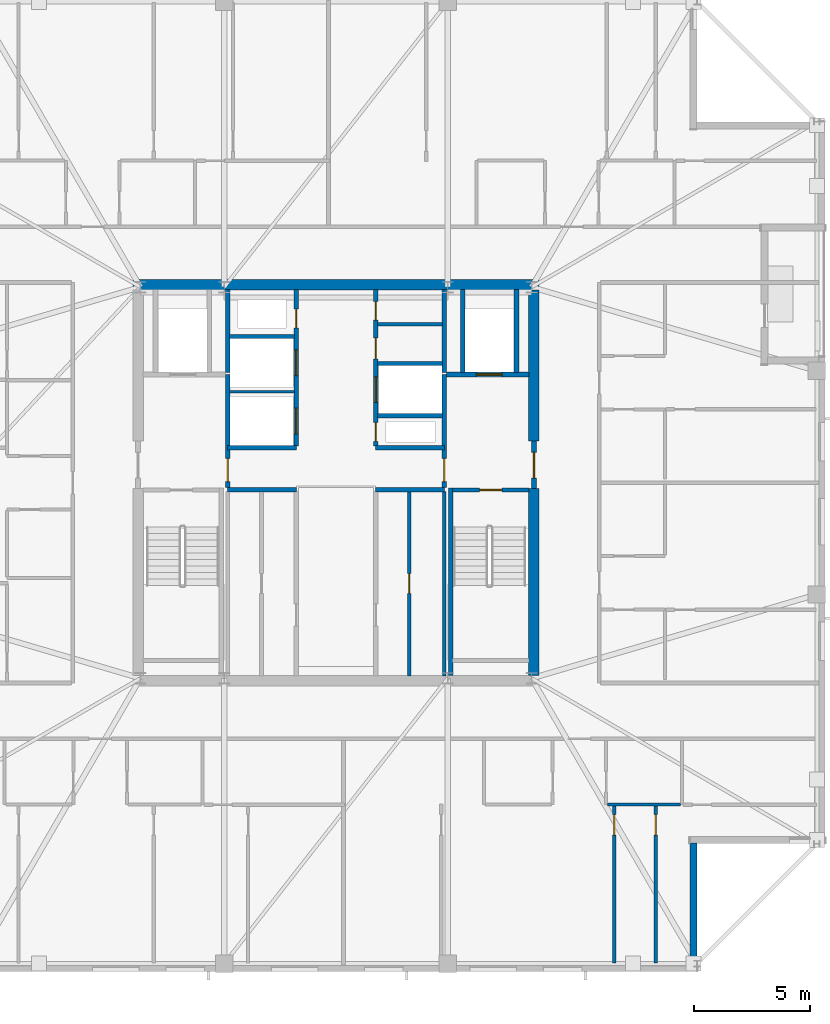
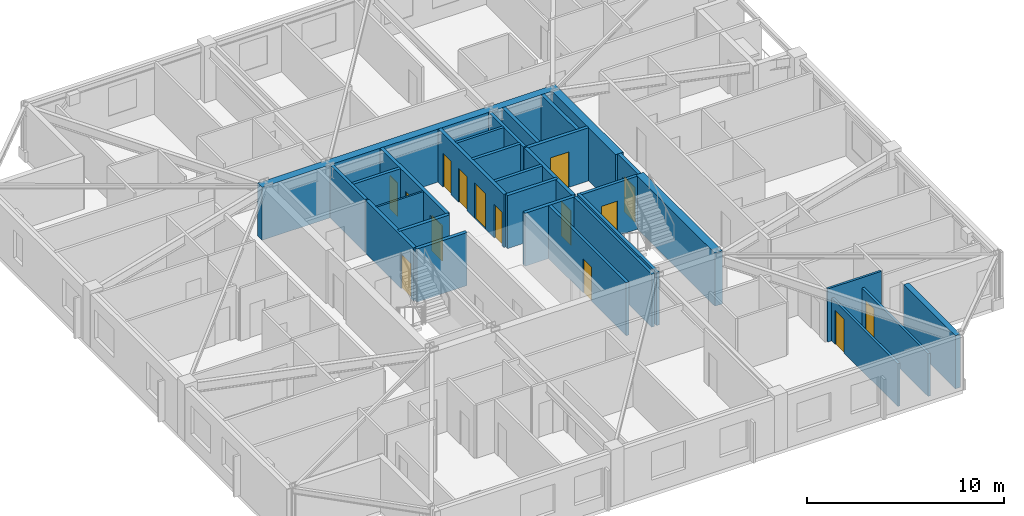
# One storey, part 9 of 16: 30 walls, 15 doors, 15 openings.
"""IFC4 building model written with IfcOpenShell, lengths in metres."""

from ifc_helpers import new_model, si_unit, direction, frame, frame_2d, origin, place, context, subcontext, project, spatial, rectangle, extrude, material, layer, layer_set, type_object, element, fill, save


model = new_model("IFC4")

# Units and contexts
model_context = context("Model", 3, precision=1e-05, world=origin(), true_north=direction((0.0, 1.0)))
body_context = subcontext(model_context, "Body", "Model", "MODEL_VIEW")
ifc_project = project(units=[si_unit("LENGTHUNIT", "METRE"), si_unit("AREAUNIT", "SQUARE_METRE"), si_unit("VOLUMEUNIT", "CUBIC_METRE"), si_unit("PLANEANGLEUNIT", "RADIAN"), si_unit("MASSUNIT", "GRAM", prefix="KILO")], contexts=[model_context])

# Site, building, storey
site_placement = place(None, origin())
site = spatial("IfcSite", under=ifc_project, at=site_placement, CompositionType="ELEMENT")
building_placement = place(site_placement, origin())
building = spatial("IfcBuilding", under=site, at=building_placement, Name="Cairnveth Concourse Tower", CompositionType="ELEMENT")
storey_placement = place(building_placement, frame((0.0, 0.0, 312.0)))
storey = spatial("IfcBuildingStorey", under=building, at=storey_placement, Name="L86", CompositionType="ELEMENT", Elevation=312.0)

# Wall
ifc_material_1 = material(Name="Gypsum Plasterboard Partition", Category="gypsum")
ifc_layer_1 = layer(ifc_material_1, 0.159912109375)
ifc_layer_set_1 = layer_set([ifc_layer_1], Name="Gypsum Plasterboard Partition")
wall_type_1 = type_object("IfcWallType", Name="ACOUSTIC PARTY WALL 180", PredefinedType="PARTITIONING", material=ifc_layer_set_1)
wall_1_placement = place(storey_placement, frame((56.64990234375, 30.7099609375, 0.0), z_axis=(0.0, 0.0, 1.0), x_axis=(0.0, 1.0, 0.0)))
element("IfcWall", 1, at=wall_1_placement, inside=storey, type_object=wall_type_1, Name="Interior Wall IW-L86-027", PredefinedType="PARTITIONING", context=body_context, shape_type="SweptSolid", body=[
    extrude(rectangle(XDim=7.905029296875, YDim=0.159912109375, at=frame_2d((3.95263671875, 0.0))), origin(), (0.0, 0.0, 1.0), 3.2900390625),
])

# Wall, opening, door
wall_2_placement = place(storey_placement, frame((55.14990234375, 30.7099609375, 0.0), z_axis=(0.0, 0.0, 1.0), x_axis=(0.0, 1.0, 0.0)))
wall_2 = element("IfcWall", 2, at=wall_2_placement, inside=storey, type_object=wall_type_1, Name="Interior Wall IW-L86-028", PredefinedType="PARTITIONING", context=body_context, shape_type="SweptSolid", body=[
    extrude(rectangle(XDim=7.905029296875, YDim=0.159912109375, at=frame_2d((3.95263671875, 0.0))), origin(), (0.0, 0.0, 1.0), 3.2900390625),
])
opening_1_placement = place(wall_2_placement, frame((3.5400390625, 0.0, 0.0)))
opening_1 = element("IfcOpeningElement", 3, at=opening_1_placement, cuts=wall_2, Name="Opening ID19", PredefinedType="OPENING", context=body_context, shape_type="SweptSolid", body=[
    extrude(rectangle(XDim=0.85009765625, YDim=2.1201171875, at=frame_2d((0.425048828125, 1.06005859375))), frame((0.0, 0.08984375, 0.0), z_axis=(0.0, -1.0, 0.0), x_axis=(1.0, 0.0, 0.0)), (0.0, 0.0, 1.0), 0.179931640625),
])
ifc_material_2 = material(Name="Steel Grade 350", Category="steel")
door_type_1 = type_object("IfcDoorType", Name="CORE SERVICE DOOR 850X2100", OperationType="NOTDEFINED", PredefinedType="DOOR", material=ifc_material_2)
door_1_placement = place(opening_1_placement, origin())
door_1 = element("IfcDoor", 4, at=door_1_placement, inside=storey, type_object=door_type_1, Name="Wine Cellar Door L86", OperationType="SINGLE_SWING_RIGHT", OverallHeight=2.1201171875, OverallWidth=0.85009765625, PredefinedType="DOOR", context=body_context, shape_type="SweptSolid", body=[
    extrude(rectangle(XDim=0.85009765625, YDim=2.1201171875, at=frame_2d((0.425048828125, 1.06005859375))), frame((0.0, 0.02490234375, 0.0), z_axis=(0.0, -1.0, 0.0), x_axis=(1.0, 0.0, 0.0)), (0.0, 0.0, 1.0), 0.050048828125),
])
fill(opening_1, door_1)

# Walls
wall_3_placement = place(storey_placement, frame((53.784912109375, 45.800048828125, 0.0), z_axis=(0.0, 0.0, 1.0), x_axis=(1.0, 0.0, 0.0)))
element("IfcWall", 5, at=wall_3_placement, inside=storey, type_object=wall_type_1, Name="Interior Wall IW-L86-035", PredefinedType="PARTITIONING", context=body_context, shape_type="SweptSolid", body=[
    extrude(rectangle(XDim=2.7900390625, YDim=0.159912109375, at=frame_2d((1.39501953125, 0.0))), origin(), (0.0, 0.0, 1.0), 3.2900390625),
])
ifc_material_3 = material(Name="Concrete N65 (65 MPa)", Category="concrete")
ifc_layer_2 = layer(ifc_material_3, 0.449951171875)
ifc_layer_set_2 = layer_set([ifc_layer_2], Name="Concrete N65 (65 MPa)")
wall_type_2 = type_object("IfcWallType", Name="CORE SHEAR WALL 450", PredefinedType="SHEAR", material=ifc_layer_set_2)
wall_4_placement = place(storey_placement, frame((43.27490234375, 47.5, 0.0), z_axis=(0.0, 0.0, 1.0), x_axis=(1.0, 0.0, 0.0)))
element("IfcWall", 6, at=wall_4_placement, inside=storey, type_object=wall_type_2, Name="Core North Shear Wall L86", PredefinedType="SHEAR", context=body_context, shape_type="SweptSolid", body=[
    extrude(rectangle(XDim=17.4501953125, YDim=0.449951171875, at=frame_2d((8.72509765625, 0.0))), origin(), (0.0, 0.0, 1.0), 3.2900390625),
])
wall_5_placement = place(storey_placement, frame((60.5, 30.715087890625, 0.0), z_axis=(0.0, 0.0, 1.0), x_axis=(0.0, 1.0, 0.0)))
element("IfcWall", 7, at=wall_5_placement, inside=storey, type_object=wall_type_2, Name="Core East Shear Wall S L86", PredefinedType="SHEAR", context=body_context, shape_type="SweptSolid", body=[
    extrude(rectangle(XDim=8.034912109375, YDim=0.449951171875, at=frame_2d((4.017578125, 0.0))), origin(), (0.0, 0.0, 1.0), 3.2900390625),
])
wall_6_placement = place(storey_placement, frame((60.5, 40.800048828125, 0.0), z_axis=(0.0, 0.0, 1.0), x_axis=(0.0, 1.0, 0.0)))
element("IfcWall", 8, at=wall_6_placement, inside=storey, type_object=wall_type_2, Name="Core East Shear Wall N L86", PredefinedType="SHEAR", context=body_context, shape_type="SweptSolid", body=[
    extrude(rectangle(XDim=6.48486328125, YDim=0.449951171875, at=frame_2d((3.242431640625, 0.0))), origin(), (0.0, 0.0, 1.0), 3.2900390625),
])
ifc_material_4 = material(Name="Concrete N50 (50 MPa)", Category="concrete")
ifc_layer_3 = layer(ifc_material_4, 0.179931640625)
ifc_layer_set_3 = layer_set([ifc_layer_3], Name="Concrete N50 (50 MPa)")
wall_type_3 = type_object("IfcWallType", Name="FIRE SHAFT WALL 180", PredefinedType="SOLIDWALL", material=ifc_layer_set_3)
wall_7_placement = place(storey_placement, frame((47.35009765625, 43.735107421875, 0.0), z_axis=(0.0, 0.0, 1.0), x_axis=(0.0, 1.0, 0.0)))
element("IfcWall", 9, at=wall_7_placement, inside=storey, type_object=wall_type_3, Name="Interior Wall IW-L86-029", PredefinedType="SOLIDWALL", context=body_context, shape_type="SweptSolid", body=[
    extrude(rectangle(XDim=3.554931640625, YDim=0.179931640625, at=frame_2d((1.77734375, 0.0))), origin(), (0.0, 0.0, 1.0), 3.2900390625),
])
wall_8_placement = place(storey_placement, frame((47.425048828125, 45.280029296875, 0.0), z_axis=(0.0, 0.0, 1.0), x_axis=(1.0, 0.0, 0.0)))
element("IfcWall", 10, at=wall_8_placement, inside=storey, type_object=wall_type_3, Name="Interior Wall IW-L86-031", PredefinedType="SOLIDWALL", context=body_context, shape_type="SweptSolid", body=[
    extrude(rectangle(XDim=2.7900390625, YDim=0.179931640625, at=frame_2d((1.39501953125, 0.0))), origin(), (0.0, 0.0, 1.0), 3.2900390625),
])
wall_9_placement = place(storey_placement, frame((56.64990234375, 43.735107421875, 0.0), z_axis=(0.0, 0.0, 1.0), x_axis=(0.0, 1.0, 0.0)))
element("IfcWall", 11, at=wall_9_placement, inside=storey, type_object=wall_type_3, Name="Interior Wall IW-L86-032", PredefinedType="SOLIDWALL", context=body_context, shape_type="SweptSolid", body=[
    extrude(rectangle(XDim=3.554931640625, YDim=0.179931640625, at=frame_2d((1.77734375, 0.0))), origin(), (0.0, 0.0, 1.0), 3.2900390625),
])
wall_10_placement = place(storey_placement, frame((53.784912109375, 41.8798828125, 0.0), z_axis=(0.0, 0.0, 1.0), x_axis=(1.0, 0.0, 0.0)))
element("IfcWall", 12, at=wall_10_placement, inside=storey, type_object=wall_type_3, Name="Interior Wall IW-L86-033", PredefinedType="SOLIDWALL", context=body_context, shape_type="SweptSolid", body=[
    extrude(rectangle(XDim=2.780029296875, YDim=0.179931640625, at=frame_2d((1.39013671875, 0.0))), origin(), (0.0, 0.0, 1.0), 3.2900390625),
])
wall_11_placement = place(storey_placement, frame((53.784912109375, 44.1201171875, 0.0), z_axis=(0.0, 0.0, 1.0), x_axis=(1.0, 0.0, 0.0)))
element("IfcWall", 13, at=wall_11_placement, inside=storey, type_object=wall_type_3, Name="Interior Wall IW-L86-034", PredefinedType="SOLIDWALL", context=body_context, shape_type="SweptSolid", body=[
    extrude(rectangle(XDim=2.7900390625, YDim=0.179931640625, at=frame_2d((1.39501953125, 0.0))), origin(), (0.0, 0.0, 1.0), 3.2900390625),
])

# Wall, opening, door
wall_12_placement = place(storey_placement, frame((57.0048828125, 38.68994140625, 0.0), z_axis=(0.0, 0.0, 1.0), x_axis=(1.0, 0.0, 0.0)))
wall_12 = element("IfcWall", 14, at=wall_12_placement, inside=storey, type_object=wall_type_3, Name="Stair ST-2 Shaft Wall NEAR L86", PredefinedType="SOLIDWALL", context=body_context, shape_type="SweptSolid", body=[
    extrude(rectangle(XDim=3.280029296875, YDim=0.179931640625, at=frame_2d((1.64013671875, 0.0))), origin(), (0.0, 0.0, 1.0), 3.2900390625),
])
opening_2_placement = place(wall_12_placement, frame((1.1650390625, 0.0, 0.0)))
opening_2 = element("IfcOpeningElement", 15, at=opening_2_placement, cuts=wall_12, Name="Opening ID12", PredefinedType="OPENING", context=body_context, shape_type="SweptSolid", body=[
    extrude(rectangle(XDim=0.949951171875, YDim=2.14990234375, at=frame_2d((0.47509765625, 1.074951171875))), frame((0.0, 0.099853515625, 0.0), z_axis=(0.0, -1.0, 0.0), x_axis=(1.0, 0.0, 0.0)), (0.0, 0.0, 1.0), 0.199951171875),
])
door_type_2 = type_object("IfcDoorType", Name="FIRE STAIR DOOR 950X2150", OperationType="NOTDEFINED", PredefinedType="DOOR", material=ifc_material_2)
door_2_placement = place(opening_2_placement, origin())
door_2 = element("IfcDoor", 16, at=door_2_placement, inside=storey, type_object=door_type_2, Name="Stair ST-2 Fire Door L86", OperationType="SINGLE_SWING_RIGHT", OverallHeight=2.14990234375, OverallWidth=0.949951171875, PredefinedType="DOOR", context=body_context, shape_type="SweptSolid", body=[
    extrude(rectangle(XDim=0.949951171875, YDim=2.14990234375, at=frame_2d((0.47509765625, 1.074951171875))), frame((0.0, 0.02490234375, 0.0), z_axis=(0.0, -1.0, 0.0), x_axis=(1.0, 0.0, 0.0)), (0.0, 0.0, 1.0), 0.050048828125),
])
fill(opening_2, door_2)

# Walls
wall_13_placement = place(storey_placement, frame((56.929931640625, 38.780029296875, 0.0), z_axis=(0.0, 0.0, 1.0), x_axis=(0.0, -1.0, 0.0)))
element("IfcWall", 17, at=wall_13_placement, inside=storey, type_object=wall_type_3, Name="Stair ST-2 Shaft Wall LEFT L86", PredefinedType="SOLIDWALL", context=body_context, shape_type="SweptSolid", body=[
    extrude(rectangle(XDim=8.067138671875, YDim=0.179931640625, at=frame_2d((4.03369140625, 0.0))), origin(), (0.0, 0.0, 1.0), 3.2900390625),
])
ifc_layer_4 = layer(ifc_material_4, 0.199951171875)
ifc_layer_set_4 = layer_set([ifc_layer_4], Name="Concrete N50 (50 MPa)")
wall_type_4 = type_object("IfcWallType", Name="FIRE SHAFT WALL 200", PredefinedType="SOLIDWALL", material=ifc_layer_set_4)
for number, where, z_axis, x_axis, name in (
    (18, (47.35009765625, 38.699951171875, 0.0), (0.0, 0.0, 1.0), (1.0, 0.0, 0.0), "Interior Wall IW-L86-007"),
    (19, (47.35009765625, 40.5, 0.0), (0.0, 0.0, 1.0), (1.0, 0.0, 0.0), "Interior Wall IW-L86-008"),
    (20, (53.699951171875, 38.699951171875, 0.0), (0.0, 0.0, 1.0), (1.0, 0.0, 0.0), "Interior Wall IW-L86-009"),
    (21, (53.699951171875, 40.5, 0.0), (0.0, 0.0, 1.0), (1.0, 0.0, 0.0), "Interior Wall IW-L86-010"),
):
    element("IfcWall", number, at=place(storey_placement, frame(where, z_axis=z_axis, x_axis=x_axis)), inside=storey, type_object=wall_type_4, Name=name, PredefinedType="SOLIDWALL", context=body_context, shape_type="SweptSolid", body=[
        extrude(rectangle(XDim=2.949951171875, YDim=0.199951171875, at=frame_2d((1.47509765625, 0.0))), origin(), (0.0, 0.0, 1.0), 3.2900390625),
    ])

# Wall, openings, doors
wall_14_placement = place(storey_placement, frame((50.300048828125, 40.5849609375, 0.0), z_axis=(0.0, 0.0, 1.0), x_axis=(0.0, 1.0, 0.0)))
wall_14 = element("IfcWall", 22, at=wall_14_placement, inside=storey, type_object=wall_type_4, Name="Interior Wall IW-L86-013", PredefinedType="SOLIDWALL", context=body_context, shape_type="SweptSolid", body=[
    extrude(rectangle(XDim=6.705078125, YDim=0.199951171875, at=frame_2d((3.3525390625, 0.0))), origin(), (0.0, 0.0, 1.0), 3.2900390625),
])
opening_3_placement = place(wall_14_placement, frame((0.514892578125, 0.0, 0.0)))
opening_3 = element("IfcOpeningElement", 23, at=opening_3_placement, cuts=wall_14, Name="Opening LD-1", PredefinedType="OPENING", context=body_context, shape_type="SweptSolid", body=[
    extrude(rectangle(XDim=1.10009765625, YDim=2.199951171875, at=frame_2d((0.550048828125, 1.10009765625))), frame((0.0, 0.10986328125, 0.0), z_axis=(0.0, -1.0, 0.0), x_axis=(1.0, 0.0, 0.0)), (0.0, 0.0, 1.0), 0.219970703125),
])
opening_4_placement = place(wall_14_placement, frame((3.014892578125, 0.0, 0.0)))
opening_4 = element("IfcOpeningElement", 24, at=opening_4_placement, cuts=wall_14, Name="Opening LD-1", PredefinedType="OPENING", context=body_context, shape_type="SweptSolid", body=[
    extrude(rectangle(XDim=1.10009765625, YDim=2.199951171875, at=frame_2d((0.550048828125, 1.10009765625))), frame((0.0, 0.10986328125, 0.0), z_axis=(0.0, -1.0, 0.0), x_axis=(1.0, 0.0, 0.0)), (0.0, 0.0, 1.0), 0.219970703125),
])
opening_5_placement = place(wall_14_placement, frame((5.06494140625, 0.0, 0.0)))
opening_5 = element("IfcOpeningElement", 25, at=opening_5_placement, cuts=wall_14, Name="Opening ID24", PredefinedType="OPENING", context=body_context, shape_type="SweptSolid", body=[
    extrude(rectangle(XDim=0.800048828125, YDim=2.080078125, at=frame_2d((0.39990234375, 1.0400390625))), frame((0.0, 0.10986328125, 0.0), z_axis=(0.0, -1.0, 0.0), x_axis=(1.0, 0.0, 0.0)), (0.0, 0.0, 1.0), 0.219970703125),
])
ifc_material_5 = material(Name="Architectural Bronze Anodised Aluminium 6063-T6", Category="aluminium")
door_type_3 = type_object("IfcDoorType", Name="LIFT LANDING DOOR 1100X2200", OperationType="SLIDING_TO_LEFT", PredefinedType="DOOR", material=ifc_material_5)
door_3_placement = place(opening_3_placement, origin())
door_3 = element("IfcDoor", 26, at=door_3_placement, inside=storey, type_object=door_type_3, Name="Lift PL7 Landing Door L86", OperationType="SLIDING_TO_LEFT", OverallHeight=2.199951171875, OverallWidth=1.10009765625, PredefinedType="DOOR", context=body_context, shape_type="SweptSolid", body=[
    extrude(rectangle(XDim=1.10009765625, YDim=2.199951171875, at=frame_2d((0.550048828125, 1.10009765625))), frame((0.0, 0.02490234375, 0.0), z_axis=(0.0, -1.0, 0.0), x_axis=(1.0, 0.0, 0.0)), (0.0, 0.0, 1.0), 0.050048828125),
])
fill(opening_3, door_3)
door_4_placement = place(opening_4_placement, origin())
door_4 = element("IfcDoor", 27, at=door_4_placement, inside=storey, type_object=door_type_3, Name="Lift PL8 Landing Door L86", OperationType="SLIDING_TO_LEFT", OverallHeight=2.199951171875, OverallWidth=1.10009765625, PredefinedType="DOOR", context=body_context, shape_type="SweptSolid", body=[
    extrude(rectangle(XDim=1.10009765625, YDim=2.199951171875, at=frame_2d((0.550048828125, 1.10009765625))), frame((0.0, 0.02490234375, 0.0), z_axis=(0.0, -1.0, 0.0), x_axis=(1.0, 0.0, 0.0)), (0.0, 0.0, 1.0), 0.050048828125),
])
fill(opening_4, door_4)
door_type_4 = type_object("IfcDoorType", Name="RISER ACCESS DOOR 800X2100", OperationType="NOTDEFINED", PredefinedType="DOOR", material=ifc_material_2)
door_5_placement = place(opening_5_placement, origin())
door_5 = element("IfcDoor", 28, at=door_5_placement, inside=storey, type_object=door_type_4, Name="NW Electrical Riser Access Door L86", OperationType="SINGLE_SWING_LEFT", OverallHeight=2.080078125, OverallWidth=0.800048828125, PredefinedType="DOOR", context=body_context, shape_type="SweptSolid", body=[
    extrude(rectangle(XDim=0.800048828125, YDim=2.080078125, at=frame_2d((0.39990234375, 1.0400390625))), frame((0.0, 0.02490234375, 0.0), z_axis=(0.0, -1.0, 0.0), x_axis=(1.0, 0.0, 0.0)), (0.0, 0.0, 1.0), 0.050048828125),
])
fill(opening_5, door_5)

wall_15_placement = place(storey_placement, frame((53.699951171875, 40.5849609375, 0.0), z_axis=(0.0, 0.0, 1.0), x_axis=(0.0, 1.0, 0.0)))
wall_15 = element("IfcWall", 29, at=wall_15_placement, inside=storey, type_object=wall_type_4, Name="Interior Wall IW-L86-014", PredefinedType="SOLIDWALL", context=body_context, shape_type="SweptSolid", body=[
    extrude(rectangle(XDim=6.705078125, YDim=0.199951171875, at=frame_2d((3.3525390625, 0.0))), origin(), (0.0, 0.0, 1.0), 3.2900390625),
])
opening_6_placement = place(wall_15_placement, frame((0.195068359375, 0.0, 0.0)))
opening_6 = element("IfcOpeningElement", 30, at=opening_6_placement, cuts=wall_15, Name="Opening ID24", PredefinedType="OPENING", context=body_context, shape_type="SweptSolid", body=[
    extrude(rectangle(XDim=0.800048828125, YDim=2.080078125, at=frame_2d((0.39990234375, 1.0400390625))), frame((0.0, 0.10986328125, 0.0), z_axis=(0.0, -1.0, 0.0), x_axis=(1.0, 0.0, 0.0)), (0.0, 0.0, 1.0), 0.219970703125),
])
opening_7_placement = place(wall_15_placement, frame((1.864990234375, 0.0, 0.0)))
opening_7 = element("IfcOpeningElement", 31, at=opening_7_placement, cuts=wall_15, Name="Opening LD-1", PredefinedType="OPENING", context=body_context, shape_type="SweptSolid", body=[
    extrude(rectangle(XDim=1.10009765625, YDim=2.199951171875, at=frame_2d((0.550048828125, 1.10009765625))), frame((0.0, 0.10986328125, 0.0), z_axis=(0.0, -1.0, 0.0), x_axis=(1.0, 0.0, 0.0)), (0.0, 0.0, 1.0), 0.219970703125),
])
opening_8_placement = place(wall_15_placement, frame((3.735107421875, 0.0, 0.0)))
opening_8 = element("IfcOpeningElement", 32, at=opening_8_placement, cuts=wall_15, Name="Opening ID26", PredefinedType="OPENING", context=body_context, shape_type="SweptSolid", body=[
    extrude(rectangle(XDim=0.89990234375, YDim=2.1201171875, at=frame_2d((0.449951171875, 1.06005859375))), frame((0.0, 0.10986328125, 0.0), z_axis=(0.0, -1.0, 0.0), x_axis=(1.0, 0.0, 0.0)), (0.0, 0.0, 1.0), 0.219970703125),
])
opening_9_placement = place(wall_15_placement, frame((5.39501953125, 0.0, 0.0)))
opening_9 = element("IfcOpeningElement", 33, at=opening_9_placement, cuts=wall_15, Name="Opening ID23", PredefinedType="OPENING", context=body_context, shape_type="SweptSolid", body=[
    extrude(rectangle(XDim=0.800048828125, YDim=2.10009765625, at=frame_2d((0.39990234375, 1.050048828125))), frame((0.0, 0.10986328125, 0.0), z_axis=(0.0, -1.0, 0.0), x_axis=(1.0, 0.0, 0.0)), (0.0, 0.0, 1.0), 0.219970703125),
])
door_type_5 = type_object("IfcDoorType", Name="CORE SERVICE DOOR 800X2100", OperationType="NOTDEFINED", PredefinedType="DOOR", material=ifc_material_2)
door_6_placement = place(opening_9_placement, origin())
door_6 = element("IfcDoor", 34, at=door_6_placement, inside=storey, type_object=door_type_5, Name="Core NE Cleaners Door L86", OperationType="SINGLE_SWING_LEFT", OverallHeight=2.10009765625, OverallWidth=0.800048828125, PredefinedType="DOOR", context=body_context, shape_type="SweptSolid", body=[
    extrude(rectangle(XDim=0.800048828125, YDim=2.10009765625, at=frame_2d((0.39990234375, 1.050048828125))), frame((0.0, 0.02490234375, 0.0), z_axis=(0.0, -1.0, 0.0), x_axis=(1.0, 0.0, 0.0)), (0.0, 0.0, 1.0), 0.050048828125),
])
fill(opening_9, door_6)
door_type_6 = type_object("IfcDoorType", Name="CORE TOILET FIRE DOOR 900X2120", OperationType="NOTDEFINED", PredefinedType="DOOR", material=ifc_material_2)
door_7_placement = place(opening_8_placement, origin())
door_7 = element("IfcDoor", 35, at=door_7_placement, inside=storey, type_object=door_type_6, Name="Core NE Unisex WC Door L86", OperationType="SINGLE_SWING_RIGHT", OverallHeight=2.1201171875, OverallWidth=0.89990234375, PredefinedType="DOOR", context=body_context, shape_type="SweptSolid", body=[
    extrude(rectangle(XDim=0.89990234375, YDim=2.1201171875, at=frame_2d((0.449951171875, 1.06005859375))), frame((0.0, 0.02490234375, 0.0), z_axis=(0.0, -1.0, 0.0), x_axis=(1.0, 0.0, 0.0)), (0.0, 0.0, 1.0), 0.050048828125),
])
fill(opening_8, door_7)
door_8_placement = place(opening_7_placement, origin())
door_8 = element("IfcDoor", 36, at=door_8_placement, inside=storey, type_object=door_type_3, Name="Lift PL9 Landing Door L86", OperationType="SLIDING_TO_LEFT", OverallHeight=2.199951171875, OverallWidth=1.10009765625, PredefinedType="DOOR", context=body_context, shape_type="SweptSolid", body=[
    extrude(rectangle(XDim=1.10009765625, YDim=2.199951171875, at=frame_2d((0.550048828125, 1.10009765625))), frame((0.0, 0.02490234375, 0.0), z_axis=(0.0, -1.0, 0.0), x_axis=(1.0, 0.0, 0.0)), (0.0, 0.0, 1.0), 0.050048828125),
])
fill(opening_7, door_8)
door_9_placement = place(opening_6_placement, origin())
door_9 = element("IfcDoor", 37, at=door_9_placement, inside=storey, type_object=door_type_4, Name="Hydraulic Riser Door L86", OperationType="SINGLE_SWING_RIGHT", OverallHeight=2.080078125, OverallWidth=0.800048828125, PredefinedType="DOOR", context=body_context, shape_type="SweptSolid", body=[
    extrude(rectangle(XDim=0.800048828125, YDim=2.080078125, at=frame_2d((0.39990234375, 1.0400390625))), frame((0.0, 0.02490234375, 0.0), z_axis=(0.0, -1.0, 0.0), x_axis=(1.0, 0.0, 0.0)), (0.0, 0.0, 1.0), 0.050048828125),
])
fill(opening_6, door_9)

# Wall, opening, door
wall_16_placement = place(storey_placement, frame((47.35009765625, 38.784912109375, 0.0), z_axis=(0.0, 0.0, 1.0), x_axis=(0.0, 1.0, 0.0)))
wall_16 = element("IfcWall", 38, at=wall_16_placement, inside=storey, type_object=wall_type_4, Name="Interior Wall IW-L86-016", PredefinedType="SOLIDWALL", context=body_context, shape_type="SweptSolid", body=[
    extrude(rectangle(XDim=4.864990234375, YDim=0.199951171875, at=frame_2d((2.4326171875, 0.0))), origin(), (0.0, 0.0, 1.0), 3.2900390625),
])
opening_10_placement = place(wall_16_placement, frame((0.264892578125, 0.0, 0.0)))
opening_10 = element("IfcOpeningElement", 39, at=opening_10_placement, cuts=wall_16, Name="Opening ID07", PredefinedType="OPENING", context=body_context, shape_type="SweptSolid", body=[
    extrude(rectangle(XDim=1.0, YDim=2.14990234375, at=frame_2d((0.5, 1.074951171875))), frame((0.0, 0.10986328125, 0.0), z_axis=(0.0, -1.0, 0.0), x_axis=(1.0, 0.0, 0.0)), (0.0, 0.0, 1.0), 0.219970703125),
])
door_type_7 = type_object("IfcDoorType", Name="FIRE CORRIDOR DOOR 1000X2150", OperationType="NOTDEFINED", PredefinedType="DOOR", material=ifc_material_2)
door_10_placement = place(opening_10_placement, origin())
door_10 = element("IfcDoor", 40, at=door_10_placement, inside=storey, type_object=door_type_7, Name="FF Lobby West to Lift Lobby Door L86", OperationType="SINGLE_SWING_RIGHT", OverallHeight=2.14990234375, OverallWidth=1.0, PredefinedType="DOOR", context=body_context, shape_type="SweptSolid", body=[
    extrude(rectangle(XDim=1.0, YDim=2.14990234375, at=frame_2d((0.5, 1.074951171875))), frame((0.0, 0.02490234375, 0.0), z_axis=(0.0, -1.0, 0.0), x_axis=(1.0, 0.0, 0.0)), (0.0, 0.0, 1.0), 0.050048828125),
])
fill(opening_10, door_10)

wall_17_placement = place(storey_placement, frame((60.5, 38.75, 0.0), z_axis=(0.0, 0.0, 1.0), x_axis=(0.0, 1.0, 0.0)))
wall_17 = element("IfcWall", 41, at=wall_17_placement, inside=storey, type_object=wall_type_4, Name="Interior Wall IW-L86-020", PredefinedType="SOLIDWALL", context=body_context, shape_type="SweptSolid", body=[
    extrude(rectangle(XDim=2.050048828125, YDim=0.199951171875, at=frame_2d((1.02490234375, 0.0))), origin(), (0.0, 0.0, 1.0), 3.2900390625),
])
opening_11_placement = place(wall_17_placement, frame((0.449951171875, 0.0, 0.0)))
opening_11 = element("IfcOpeningElement", 42, at=opening_11_placement, cuts=wall_17, Name="Opening ID06", PredefinedType="OPENING", context=body_context, shape_type="SweptSolid", body=[
    extrude(rectangle(XDim=1.10009765625, YDim=2.14990234375, at=frame_2d((0.550048828125, 1.074951171875))), frame((0.0, 0.10986328125, 0.0), z_axis=(0.0, -1.0, 0.0), x_axis=(1.0, 0.0, 0.0)), (0.0, 0.0, 1.0), 0.219970703125),
])
door_type_8 = type_object("IfcDoorType", Name="FIRE CORRIDOR DOOR 1100X2150", OperationType="NOTDEFINED", PredefinedType="DOOR", material=ifc_material_2)
door_11_placement = place(opening_11_placement, origin())
door_11 = element("IfcDoor", 43, at=door_11_placement, inside=storey, type_object=door_type_8, Name="East Wing to FF Lobby Door L86", OperationType="SINGLE_SWING_RIGHT", OverallHeight=2.14990234375, OverallWidth=1.10009765625, PredefinedType="DOOR", context=body_context, shape_type="SweptSolid", body=[
    extrude(rectangle(XDim=1.10009765625, YDim=2.14990234375, at=frame_2d((0.550048828125, 1.074951171875))), frame((0.0, 0.02490234375, 0.0), z_axis=(0.0, -1.0, 0.0), x_axis=(1.0, 0.0, 0.0)), (0.0, 0.0, 1.0), 0.050048828125),
])
fill(opening_11, door_11)

wall_18_placement = place(storey_placement, frame((56.64990234375, 38.784912109375, 0.0), z_axis=(0.0, 0.0, 1.0), x_axis=(0.0, 1.0, 0.0)))
wall_18 = element("IfcWall", 44, at=wall_18_placement, inside=storey, type_object=wall_type_4, Name="Interior Wall IW-L86-021", PredefinedType="SOLIDWALL", context=body_context, shape_type="SweptSolid", body=[
    extrude(rectangle(XDim=4.864990234375, YDim=0.199951171875, at=frame_2d((2.4326171875, 0.0))), origin(), (0.0, 0.0, 1.0), 3.2900390625),
])
opening_12_placement = place(wall_18_placement, frame((0.264892578125, 0.0, 0.0)))
opening_12 = element("IfcOpeningElement", 45, at=opening_12_placement, cuts=wall_18, Name="Opening ID07", PredefinedType="OPENING", context=body_context, shape_type="SweptSolid", body=[
    extrude(rectangle(XDim=1.0, YDim=2.14990234375, at=frame_2d((0.5, 1.074951171875))), frame((0.0, 0.10986328125, 0.0), z_axis=(0.0, -1.0, 0.0), x_axis=(1.0, 0.0, 0.0)), (0.0, 0.0, 1.0), 0.219970703125),
])
door_12_placement = place(opening_12_placement, origin())
door_12 = element("IfcDoor", 46, at=door_12_placement, inside=storey, type_object=door_type_7, Name="FF Lobby East to Lift Lobby Door L86", OperationType="SINGLE_SWING_LEFT", OverallHeight=2.14990234375, OverallWidth=1.0, PredefinedType="DOOR", context=body_context, shape_type="SweptSolid", body=[
    extrude(rectangle(XDim=1.0, YDim=2.14990234375, at=frame_2d((0.5, 1.074951171875))), frame((0.0, 0.02490234375, 0.0), z_axis=(0.0, -1.0, 0.0), x_axis=(1.0, 0.0, 0.0)), (0.0, 0.0, 1.0), 0.050048828125),
])
fill(opening_12, door_12)

wall_19_placement = place(storey_placement, frame((56.735107421875, 43.64990234375, 0.0), z_axis=(0.0, 0.0, 1.0), x_axis=(1.0, 0.0, 0.0)))
wall_19 = element("IfcWall", 47, at=wall_19_placement, inside=storey, type_object=wall_type_4, Name="Interior Wall IW-L86-022", PredefinedType="SOLIDWALL", context=body_context, shape_type="SweptSolid", body=[
    extrude(rectangle(XDim=3.554931640625, YDim=0.199951171875, at=frame_2d((1.77734375, 0.0))), origin(), (0.0, 0.0, 1.0), 3.2900390625),
])
opening_13_placement = place(wall_19_placement, frame((1.294921875, 0.0, 0.0)))
opening_13 = element("IfcOpeningElement", 48, at=opening_13_placement, cuts=wall_19, Name="Opening LD-1", PredefinedType="OPENING", context=body_context, shape_type="SweptSolid", body=[
    extrude(rectangle(XDim=1.10009765625, YDim=2.199951171875, at=frame_2d((0.550048828125, 1.10009765625))), frame((0.0, 0.10986328125, 0.0), z_axis=(0.0, -1.0, 0.0), x_axis=(1.0, 0.0, 0.0)), (0.0, 0.0, 1.0), 0.219970703125),
])
door_13_placement = place(opening_13_placement, origin())
door_13 = element("IfcDoor", 49, at=door_13_placement, inside=storey, type_object=door_type_3, Name="Lift FFL2 Landing Door L86", OperationType="SLIDING_TO_LEFT", OverallHeight=2.199951171875, OverallWidth=1.10009765625, PredefinedType="DOOR", context=body_context, shape_type="SweptSolid", body=[
    extrude(rectangle(XDim=1.10009765625, YDim=2.199951171875, at=frame_2d((0.550048828125, 1.10009765625))), frame((0.0, 0.02490234375, 0.0), z_axis=(0.0, -1.0, 0.0), x_axis=(1.0, 0.0, 0.0)), (0.0, 0.0, 1.0), 0.050048828125),
])
fill(opening_13, door_13)

# Walls
for number, where, z_axis, x_axis, name in (
    (50, (57.449951171875, 43.735107421875, 0.0), (0.0, 0.0, 1.0), (0.0, 1.0, 0.0), "Interior Wall IW-L86-023"),
    (51, (59.75, 43.735107421875, 0.0), (0.0, 0.0, 1.0), (0.0, 1.0, 0.0), "Interior Wall IW-L86-024"),
):
    element("IfcWall", number, at=place(storey_placement, frame(where, z_axis=z_axis, x_axis=x_axis)), inside=storey, type_object=wall_type_4, Name=name, PredefinedType="SOLIDWALL", context=body_context, shape_type="SweptSolid", body=[
        extrude(rectangle(XDim=3.554931640625, YDim=0.199951171875, at=frame_2d((1.77734375, 0.0))), origin(), (0.0, 0.0, 1.0), 3.2900390625),
    ])

# Wall, opening, door
ifc_layer_5 = layer(ifc_material_1, 0.139892578125)
ifc_layer_set_5 = layer_set([ifc_layer_5], Name="Gypsum Plasterboard Partition")
wall_type_5 = type_object("IfcWallType", Name="GYPSUM STUD PARTITION 140", PredefinedType="PARTITIONING", material=ifc_layer_set_5)
wall_20_placement = place(storey_placement, frame((65.72998046875, 18.3798828125, 0.0), z_axis=(0.0, 0.0, 1.0), x_axis=(0.0, 1.0, 0.0)))
wall_20 = element("IfcWall", 52, at=wall_20_placement, inside=storey, type_object=wall_type_5, Name="Interior Wall IW-L86-062", PredefinedType="PARTITIONING", context=body_context, shape_type="SweptSolid", body=[
    extrude(rectangle(XDim=6.74267578125, YDim=0.139892578125, at=frame_2d((3.371337890625, 0.0))), origin(), (0.0, 0.0, 1.0), 2.653076171875),
])
opening_14_placement = place(wall_20_placement, frame((5.482421875, 0.0, 0.0)))
opening_14 = element("IfcOpeningElement", 53, at=opening_14_placement, cuts=wall_20, Name="Opening ID18", PredefinedType="OPENING", context=body_context, shape_type="SweptSolid", body=[
    extrude(rectangle(XDim=0.8798828125, YDim=2.10009765625, at=frame_2d((0.43994140625, 1.050048828125))), frame((0.0, 0.079833984375, 0.0), z_axis=(0.0, -1.0, 0.0), x_axis=(1.0, 0.0, 0.0)), (0.0, 0.0, 1.0), 0.159912109375),
])
ifc_material_6 = material(Name="Solid Core Hardwood Timber Leaf", Category="wood")
door_type_9 = type_object("IfcDoorType", Name="INTERIOR SINGLE DOOR 880X2100", OperationType="NOTDEFINED", PredefinedType="DOOR", material=ifc_material_6)
door_14_placement = place(opening_14_placement, origin())
door_14 = element("IfcDoor", 54, at=door_14_placement, inside=storey, type_object=door_type_9, Name="L86PS2 Bedroom 2 Door", OperationType="SINGLE_SWING_LEFT", OverallHeight=2.10009765625, OverallWidth=0.8798828125, PredefinedType="DOOR", context=body_context, shape_type="SweptSolid", body=[
    extrude(rectangle(XDim=0.8798828125, YDim=2.10009765625, at=frame_2d((0.43994140625, 1.050048828125))), frame((0.0, 0.02490234375, 0.0), z_axis=(0.0, -1.0, 0.0), x_axis=(1.0, 0.0, 0.0)), (0.0, 0.0, 1.0), 0.050048828125),
])
fill(opening_14, door_14)

wall_21_placement = place(storey_placement, frame((63.952392578125, 18.3798828125, 0.0), z_axis=(0.0, 0.0, 1.0), x_axis=(0.0, 1.0, 0.0)))
wall_21 = element("IfcWall", 55, at=wall_21_placement, inside=storey, type_object=wall_type_5, Name="Interior Wall IW-L86-064", PredefinedType="PARTITIONING", context=body_context, shape_type="SweptSolid", body=[
    extrude(rectangle(XDim=6.74267578125, YDim=0.139892578125, at=frame_2d((3.371337890625, 0.0))), origin(), (0.0, 0.0, 1.0), 2.653076171875),
])
opening_15_placement = place(wall_21_placement, frame((5.482421875, 0.0, 0.0)))
opening_15 = element("IfcOpeningElement", 56, at=opening_15_placement, cuts=wall_21, Name="Opening ID18", PredefinedType="OPENING", context=body_context, shape_type="SweptSolid", body=[
    extrude(rectangle(XDim=0.8798828125, YDim=2.10009765625, at=frame_2d((0.43994140625, 1.050048828125))), frame((0.0, 0.079833984375, 0.0), z_axis=(0.0, -1.0, 0.0), x_axis=(1.0, 0.0, 0.0)), (0.0, 0.0, 1.0), 0.159912109375),
])
door_15_placement = place(opening_15_placement, origin())
door_15 = element("IfcDoor", 57, at=door_15_placement, inside=storey, type_object=door_type_9, Name="L86PS2 Media Lounge Door", OperationType="SINGLE_SWING_RIGHT", OverallHeight=2.10009765625, OverallWidth=0.8798828125, PredefinedType="DOOR", context=body_context, shape_type="SweptSolid", body=[
    extrude(rectangle(XDim=0.8798828125, YDim=2.10009765625, at=frame_2d((0.43994140625, 1.050048828125))), frame((0.0, 0.02490234375, 0.0), z_axis=(0.0, -1.0, 0.0), x_axis=(1.0, 0.0, 0.0)), (0.0, 0.0, 1.0), 0.050048828125),
])
fill(opening_15, door_15)

# Walls
ifc_layer_6 = layer(ifc_material_1, 0.110107421875)
ifc_layer_set_6 = layer_set([ifc_layer_6], Name="Gypsum Plasterboard Partition")
wall_type_6 = type_object("IfcWallType", Name="SHAFT DIVIDER WALL 140", PredefinedType="PARTITIONING", material=ifc_layer_set_6)
wall_22_placement = place(storey_placement, frame((47.43505859375, 42.89990234375, 0.0), z_axis=(0.0, 0.0, 1.0), x_axis=(1.0, 0.0, 0.0)))
element("IfcWall", 58, at=wall_22_placement, inside=storey, type_object=wall_type_6, Name="Interior Wall IW-L86-030", PredefinedType="PARTITIONING", context=body_context, shape_type="SweptSolid", body=[
    extrude(rectangle(XDim=2.780029296875, YDim=0.110107421875, at=frame_2d((1.39013671875, 0.0))), origin(), (0.0, 0.0, 1.0), 3.2900390625),
])
ifc_layer_7 = layer(ifc_material_1, 0.1298828125)
ifc_layer_set_7 = layer_set([ifc_layer_7], Name="Gypsum Plasterboard Partition")
wall_type_7 = type_object("IfcWallType", Name="WET AREA PARTITION 140", PredefinedType="PLUMBINGWALL", material=ifc_layer_set_7)
wall_23_placement = place(storey_placement, frame((63.652587890625, 25.172607421875, 0.0), z_axis=(0.0, 0.0, 1.0), x_axis=(1.0, 0.0, 0.0)))
element("IfcWall", 59, at=wall_23_placement, inside=storey, type_object=wall_type_7, Name="Interior Wall IW-L86-060", PredefinedType="PLUMBINGWALL", context=body_context, shape_type="SweptSolid", body=[
    extrude(rectangle(XDim=3.14990234375, YDim=0.1298828125, at=frame_2d((1.574951171875, 0.0))), origin(), (0.0, 0.0, 1.0), 3.2900390625),
])
ifc_material_7 = material(Name="Hawthorn Red-Ochre Fired Clay Brick Masonry", Category="masonry")
ifc_layer_8 = layer(ifc_material_7, 0.300048828125)
ifc_layer_set_8 = layer_set([ifc_layer_8], Name="Hawthorn Red-Ochre Fired Clay Brick Masonry")
wall_type_8 = type_object("IfcWallType", Name="ZONE 4 BRICK PIER SPANDREL WALL 300", PredefinedType="SOLIDWALL", material=ifc_layer_set_8)
wall_24_placement = place(storey_placement, frame((67.35009765625, 23.52197265625, 0.0), z_axis=(0.0, 0.0, 1.0), x_axis=(0.0, -1.0, 0.0)))
element("IfcWall", 60, at=wall_24_placement, inside=storey, type_object=wall_type_8, Name="Exterior Wall EW-L86-S02", PredefinedType="SOLIDWALL", context=body_context, shape_type="SweptSolid", body=[
    extrude(rectangle(XDim=5.243896484375, YDim=0.300048828125, at=frame_2d((2.6220703125, 0.0))), origin(), (0.0, 0.0, 1.0), 3.2900390625),
])

save(model, "model.ifc")
